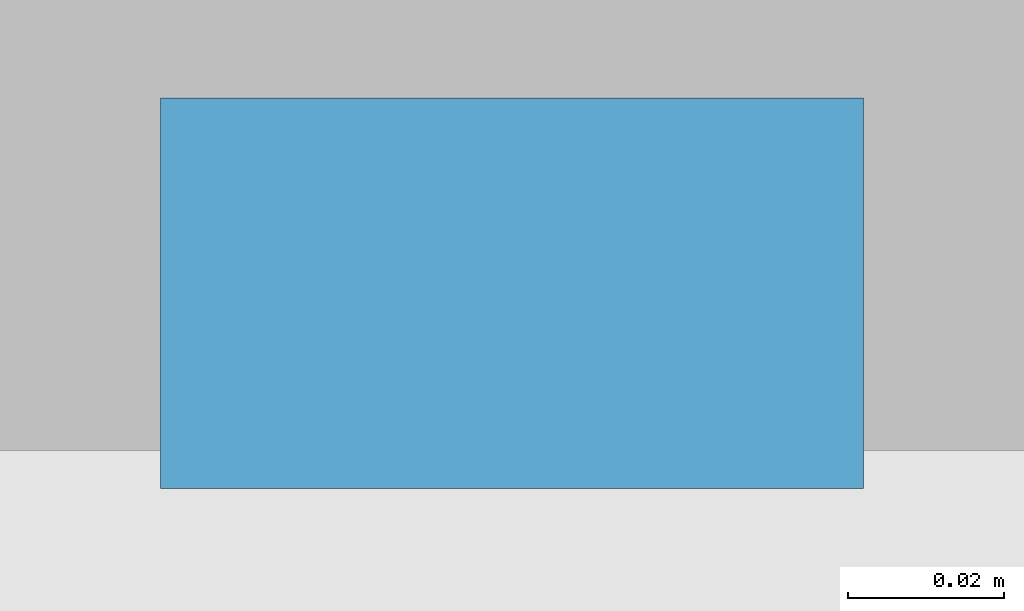
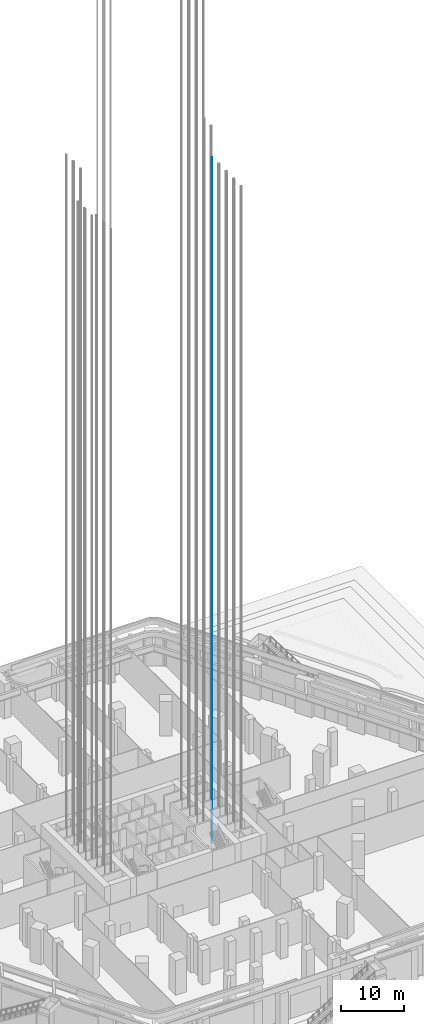
# One storey, part 55 of 68: 1 discrete accessory.
"""IFC4 building model written with IfcOpenShell, lengths in metres."""

from ifc_helpers import new_model, si_unit, direction, frame, origin, origin_2d, place, context, subcontext, project, spatial, rectangle, extrude, element, save


model = new_model("IFC4")

# Units and contexts
model_context = context("Model", 3, precision=1e-05, world=origin(), true_north=direction((0.0, 1.0)))
body_context = subcontext(model_context, "Body", "Model", "MODEL_VIEW")
ifc_project = project(units=[si_unit("LENGTHUNIT", "METRE"), si_unit("AREAUNIT", "SQUARE_METRE"), si_unit("VOLUMEUNIT", "CUBIC_METRE"), si_unit("PLANEANGLEUNIT", "RADIAN"), si_unit("MASSUNIT", "GRAM", prefix="KILO")], contexts=[model_context])

# Site, building, storey
site_placement = place(None, origin())
site = spatial("IfcSite", under=ifc_project, at=site_placement, CompositionType="ELEMENT")
building_placement = place(site_placement, origin())
building = spatial("IfcBuilding", under=site, at=building_placement, Name="Kolab Exchange Tower", CompositionType="ELEMENT")
storey_placement = place(building_placement, origin())
storey = spatial("IfcBuildingStorey", under=building, at=storey_placement, Name="L00", CompositionType="ELEMENT", Elevation=0.0)

# Discrete accessory
discrete_accessory_placement = place(storey_placement, frame((12.0, 2.27001953125, -1.599853515625), z_axis=(0.0, 0.0, 1.0), x_axis=(1.0, 0.0, 0.0)))
element("IfcDiscreteAccessory", 1, at=discrete_accessory_placement, inside=storey, Name="Guide rail LR4-2", ObjectType="GUIDE RAIL", PredefinedType="USERDEFINED", context=body_context, shape_type="SweptSolid", body=[
    extrude(rectangle(XDim=0.090087890625, YDim=0.050048828125, at=origin_2d()), origin(), (0.0, 0.0, 1.0), 133.39990234375),
])

save(model, "model.ifc")
